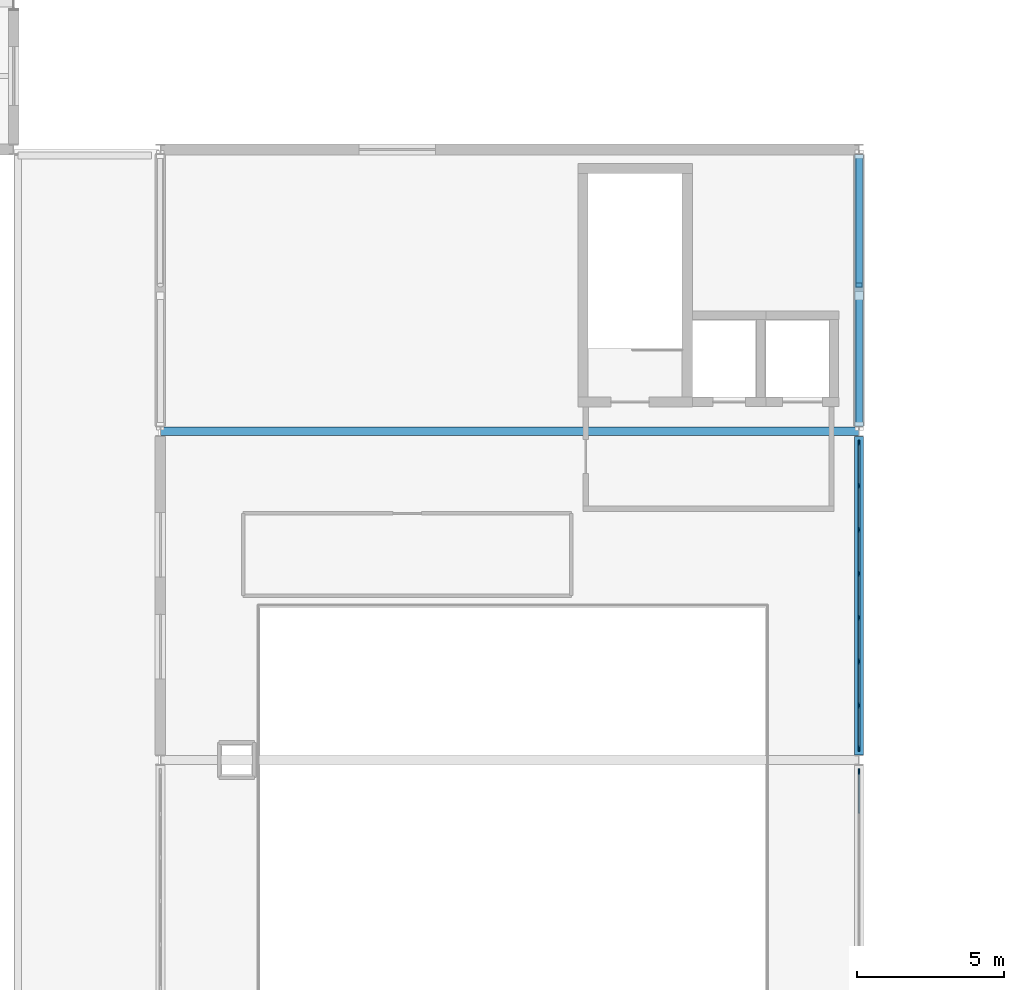
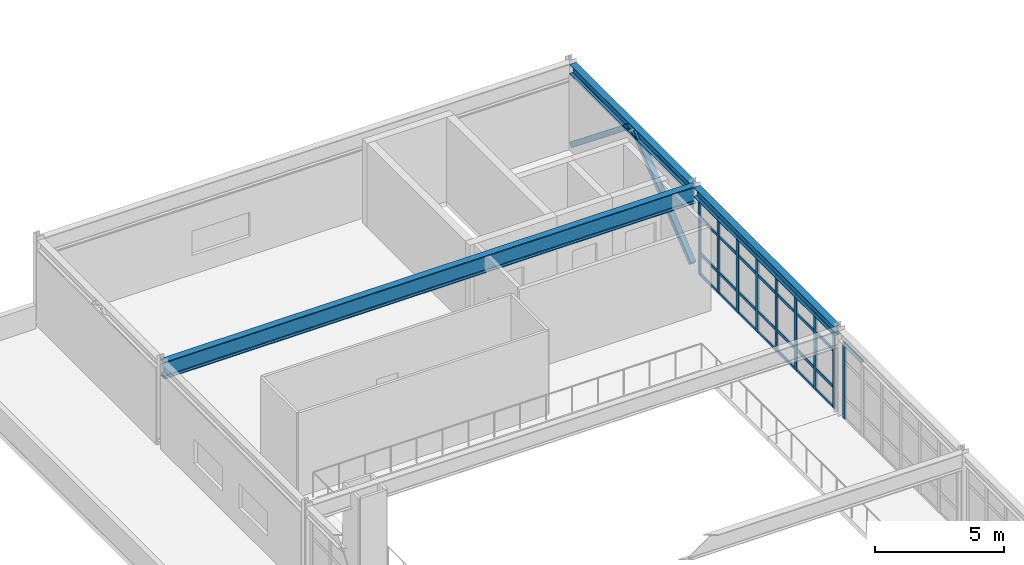
# One storey, part 39 of 76: 40 members, 3 beams, 2 elements without a shape of their own.
"""IFC4 building model written with IfcOpenShell, lengths in metres."""

from ifc_helpers import new_model, si_unit, direction, frame, origin, origin_2d, place, context, subcontext, project, spatial, rectangle, hollow_rectangle, i_section, extrude, material, layer, layer_set, material_profile, profile_set, type_object, element, aggregate, save


model = new_model("IFC4")

# Units and contexts
model_context = context("Model", 3, precision=1e-05, world=origin(), true_north=direction((0.0, 1.0)))
body_context = subcontext(model_context, "Body", "Model", "MODEL_VIEW")
ifc_project = project(units=[si_unit("LENGTHUNIT", "METRE"), si_unit("AREAUNIT", "SQUARE_METRE"), si_unit("VOLUMEUNIT", "CUBIC_METRE"), si_unit("PLANEANGLEUNIT", "RADIAN"), si_unit("MASSUNIT", "GRAM", prefix="KILO")], contexts=[model_context])

# Site, building, storey
site_placement = place(None, origin())
site = spatial("IfcSite", under=ifc_project, at=site_placement, CompositionType="ELEMENT")
building_placement = place(site_placement, origin())
building = spatial("IfcBuilding", under=site, at=building_placement, Name="Nordkorset Police Headquarters", CompositionType="ELEMENT")
storey_placement = place(building_placement, frame((0.0, 0.0, 13.64990234375)))
storey = spatial("IfcBuildingStorey", under=building, at=storey_placement, Name="L03", CompositionType="ELEMENT", Elevation=13.64990234375)

# Members
ifc_material_1 = material(Name="Steel S355J2", Category="steel")
ifc_material_profile_1 = material_profile(ifc_material_1, hollow_rectangle(XDim=0.25, YDim=0.25, WallThickness=0.012451171875, InnerFilletRadius=0.012451171875, OuterFilletRadius=0.02490234375, at=origin_2d()), Name="SHS 250x250x12.5")
ifc_profile_set_1 = profile_set([ifc_material_profile_1], Name="Steel S355J2")
member_type_1 = type_object("IfcMemberType", Name="Brace_SHS_250x250x12.5", PredefinedType="BRACE", material=ifc_profile_set_1)
for number, where, z_axis, x_axis, name in (
    (1, (115.199951171875, 88.169921875, 0.2001953125), (0.0, 0.780898065567, 0.624658475644), (-1.0, 0.0, 0.0), "Lateral Chevron Brace BF-EXT-V5E4 L03 D1"),
    (2, (115.199951171875, 97.429931640625, 0.2001953125), (0.0, -0.780881348411, 0.624679373522), (1.0, 0.0, 0.0), "Lateral Chevron Brace BF-EXT-V5E4 L03 D2"),
):
    element("IfcMember", number, at=place(storey_placement, frame(where, z_axis=z_axis, x_axis=x_axis)), inside=storey, type_object=member_type_1, Name=name, PredefinedType="BRACE", context=body_context, shape_type="SweptSolid", body=[
        extrude(hollow_rectangle(XDim=0.25, YDim=0.25, WallThickness=0.012451171875, InnerFilletRadius=0.012451171875, OuterFilletRadius=0.02490234375, at=origin_2d()), origin(), (0.0, 0.0, 1.0), 5.69873046875),
    ])

# Curtain wall, member
ifc_material_2 = material(Name="Aluminium alloy AW-6060", Category="aluminium")
ifc_layer_1 = layer(ifc_material_2, 0.179931640625, Name="Aluminium alloy AW-6060")
ifc_layer_set_1 = layer_set([ifc_layer_1], Name="Aluminium alloy AW-6060")
curtain_wall_type_1 = type_object("IfcCurtainWallType", Name="CW_Unit_888x356", PredefinedType="USERDEFINED", material=ifc_layer_set_1)
curtain_wall_1_placement = place(storey_placement, origin())
curtain_wall_1 = element("IfcCurtainWall", 3, at=curtain_wall_1_placement, inside=storey, type_object=curtain_wall_type_1, Name="Unitised Curtain Wall L03 V5E-2", ObjectType="UNITISED CURTAIN WALL", PredefinedType="USERDEFINED")
ifc_material_3 = material(Name="Aluminium alloy AW-6060", Category="aluminium")
ifc_material_profile_2 = material_profile(ifc_material_3, rectangle(XDim=0.06494140625, YDim=0.179931640625, at=origin_2d()), Name="ALU MULL 65x180")
ifc_profile_set_2 = profile_set([ifc_material_profile_2], Name="Aluminium alloy AW-6060")
member_type_2 = type_object("IfcMemberType", Name="CW_Mullion_65x180", PredefinedType="MULLION", material=ifc_profile_set_2)
member_1_placement = place(storey_placement, frame((115.199951171875, 76.407470703125, 0.0), z_axis=(0.0, 0.0, 1.0), x_axis=(-1.0, 0.0, 0.0)))
member_1 = element("IfcMember", 4, at=member_1_placement, type_object=member_type_2, Name="CW-109 mullion 7", PredefinedType="MULLION", context=body_context, shape_type="SweptSolid", body=[
    extrude(rectangle(XDim=0.06494140625, YDim=0.179931640625, at=origin_2d()), origin(), (0.0, 0.0, 1.0), 3.565185546875),
])

# Curtain wall, members
ifc_material_4 = material(Name="Aluminium alloy AW-6060", Category="aluminium")
ifc_layer_2 = layer(ifc_material_4, 0.179931640625, Name="Aluminium alloy AW-6060")
ifc_layer_set_2 = layer_set([ifc_layer_2], Name="Aluminium alloy AW-6060")
curtain_wall_type_2 = type_object("IfcCurtainWallType", Name="CW_Unit_1048x356", PredefinedType="USERDEFINED", material=ifc_layer_set_2)
curtain_wall_2_placement = place(storey_placement, origin())
curtain_wall_2 = element("IfcCurtainWall", 5, at=curtain_wall_2_placement, inside=storey, type_object=curtain_wall_type_2, Name="Unitised Curtain Wall L03 V5E-3", ObjectType="UNITISED CURTAIN WALL", PredefinedType="USERDEFINED")
member_2_placement = place(storey_placement, frame((115.199951171875, 77.1923828125, 0.0), z_axis=(0.0, 0.0, 1.0), x_axis=(-1.0, 0.0, 0.0)))
member_2 = element("IfcMember", 6, at=member_2_placement, type_object=member_type_2, Name="CW-26 mullion 1", PredefinedType="MULLION", context=body_context, shape_type="SweptSolid", body=[
    extrude(rectangle(XDim=0.06494140625, YDim=0.179931640625, at=origin_2d()), origin(), (0.0, 0.0, 1.0), 3.565185546875),
])
member_3_placement = place(storey_placement, frame((115.199951171875, 78.6572265625, 0.0), z_axis=(0.0, 0.0, 1.0), x_axis=(-1.0, 0.0, 0.0)))
member_3 = element("IfcMember", 7, at=member_3_placement, type_object=member_type_2, Name="CW-26 mullion 2", PredefinedType="MULLION", context=body_context, shape_type="SweptSolid", body=[
    extrude(rectangle(XDim=0.06494140625, YDim=0.179931640625, at=origin_2d()), origin(), (0.0, 0.0, 1.0), 3.565185546875),
])
member_4_placement = place(storey_placement, frame((115.199951171875, 80.154296875, 0.0), z_axis=(0.0, 0.0, 1.0), x_axis=(-1.0, 0.0, 0.0)))
member_4 = element("IfcMember", 8, at=member_4_placement, type_object=member_type_2, Name="CW-26 mullion 3", PredefinedType="MULLION", context=body_context, shape_type="SweptSolid", body=[
    extrude(rectangle(XDim=0.06494140625, YDim=0.179931640625, at=origin_2d()), origin(), (0.0, 0.0, 1.0), 3.565185546875),
])
member_5_placement = place(storey_placement, frame((115.199951171875, 81.6513671875, 0.0), z_axis=(0.0, 0.0, 1.0), x_axis=(-1.0, 0.0, 0.0)))
member_5 = element("IfcMember", 9, at=member_5_placement, type_object=member_type_2, Name="CW-26 mullion 4", PredefinedType="MULLION", context=body_context, shape_type="SweptSolid", body=[
    extrude(rectangle(XDim=0.06494140625, YDim=0.179931640625, at=origin_2d()), origin(), (0.0, 0.0, 1.0), 3.565185546875),
])
member_6_placement = place(storey_placement, frame((115.199951171875, 83.148681640625, 0.0), z_axis=(0.0, 0.0, 1.0), x_axis=(-1.0, 0.0, 0.0)))
member_6 = element("IfcMember", 10, at=member_6_placement, type_object=member_type_2, Name="CW-26 mullion 5", PredefinedType="MULLION", context=body_context, shape_type="SweptSolid", body=[
    extrude(rectangle(XDim=0.06494140625, YDim=0.179931640625, at=origin_2d()), origin(), (0.0, 0.0, 1.0), 3.565185546875),
])
member_7_placement = place(storey_placement, frame((115.199951171875, 84.645751953125, 0.0), z_axis=(0.0, 0.0, 1.0), x_axis=(-1.0, 0.0, 0.0)))
member_7 = element("IfcMember", 11, at=member_7_placement, type_object=member_type_2, Name="CW-26 mullion 6", PredefinedType="MULLION", context=body_context, shape_type="SweptSolid", body=[
    extrude(rectangle(XDim=0.06494140625, YDim=0.179931640625, at=origin_2d()), origin(), (0.0, 0.0, 1.0), 3.565185546875),
])
member_8_placement = place(storey_placement, frame((115.199951171875, 86.142822265625, 0.0), z_axis=(0.0, 0.0, 1.0), x_axis=(-1.0, 0.0, 0.0)))
member_8 = element("IfcMember", 12, at=member_8_placement, type_object=member_type_2, Name="CW-26 mullion 7", PredefinedType="MULLION", context=body_context, shape_type="SweptSolid", body=[
    extrude(rectangle(XDim=0.06494140625, YDim=0.179931640625, at=origin_2d()), origin(), (0.0, 0.0, 1.0), 3.565185546875),
])
member_9_placement = place(storey_placement, frame((115.199951171875, 87.607421875, 0.0), z_axis=(0.0, 0.0, 1.0), x_axis=(-1.0, 0.0, 0.0)))
member_9 = element("IfcMember", 13, at=member_9_placement, type_object=member_type_2, Name="CW-26 mullion 8", PredefinedType="MULLION", context=body_context, shape_type="SweptSolid", body=[
    extrude(rectangle(XDim=0.06494140625, YDim=0.179931640625, at=origin_2d()), origin(), (0.0, 0.0, 1.0), 3.565185546875),
])

# Member
ifc_material_5 = material(Name="Aluminium alloy AW-6060", Category="aluminium")
ifc_material_profile_3 = material_profile(ifc_material_5, rectangle(XDim=0.06494140625, YDim=0.139892578125, at=origin_2d()), Name="ALU TRAN 65x140")
ifc_profile_set_3 = profile_set([ifc_material_profile_3], Name="Aluminium alloy AW-6060")
member_type_3 = type_object("IfcMemberType", Name="CW_Transom_65x140", PredefinedType="USERDEFINED", material=ifc_profile_set_3)
member_10_placement = place(storey_placement, frame((115.199951171875, 74.992431640625, 3.53271484375), z_axis=(0.0, 1.0, 0.0), x_axis=(-1.0, 0.0, 0.0)))
member_10 = element("IfcMember", 14, at=member_10_placement, type_object=member_type_3, Name="CW-109 transom 6.4", ObjectType="TRANSOM", PredefinedType="USERDEFINED", context=body_context, shape_type="SweptSolid", body=[
    extrude(rectangle(XDim=0.06494140625, YDim=0.139892578125, at=origin_2d()), origin(), (0.0, 0.0, 1.0), 1.382568359375),
])

aggregate(curtain_wall_1, [member_1, member_10])

member_11_placement = place(storey_placement, frame((115.199951171875, 77.22509765625, 0.03271484375), z_axis=(0.0, 1.0, 0.0), x_axis=(-1.0, 0.0, 0.0)))
member_11 = element("IfcMember", 15, at=member_11_placement, type_object=member_type_3, Name="CW-26 transom 1.1", ObjectType="TRANSOM", PredefinedType="USERDEFINED", context=body_context, shape_type="SweptSolid", body=[
    extrude(rectangle(XDim=0.06494140625, YDim=0.139892578125, at=origin_2d()), origin(), (0.0, 0.0, 1.0), 1.399658203125),
])

member_12_placement = place(storey_placement, frame((115.199951171875, 77.22509765625, 1.0), z_axis=(0.0, 1.0, 0.0), x_axis=(-1.0, 0.0, 0.0)))
member_12 = element("IfcMember", 16, at=member_12_placement, type_object=member_type_3, Name="CW-26 transom 1.2", ObjectType="TRANSOM", PredefinedType="USERDEFINED", context=body_context, shape_type="SweptSolid", body=[
    extrude(rectangle(XDim=0.06494140625, YDim=0.139892578125, at=origin_2d()), origin(), (0.0, 0.0, 1.0), 1.399658203125),
])

member_13_placement = place(storey_placement, frame((115.199951171875, 77.22509765625, 2.715087890625), z_axis=(0.0, 1.0, 0.0), x_axis=(-1.0, 0.0, 0.0)))
member_13 = element("IfcMember", 17, at=member_13_placement, type_object=member_type_3, Name="CW-26 transom 1.3", ObjectType="TRANSOM", PredefinedType="USERDEFINED", context=body_context, shape_type="SweptSolid", body=[
    extrude(rectangle(XDim=0.06494140625, YDim=0.139892578125, at=origin_2d()), origin(), (0.0, 0.0, 1.0), 1.399658203125),
])

member_14_placement = place(storey_placement, frame((115.199951171875, 77.22509765625, 3.53271484375), z_axis=(0.0, 1.0, 0.0), x_axis=(-1.0, 0.0, 0.0)))
member_14 = element("IfcMember", 18, at=member_14_placement, type_object=member_type_3, Name="CW-26 transom 1.4", ObjectType="TRANSOM", PredefinedType="USERDEFINED", context=body_context, shape_type="SweptSolid", body=[
    extrude(rectangle(XDim=0.06494140625, YDim=0.139892578125, at=origin_2d()), origin(), (0.0, 0.0, 1.0), 1.399658203125),
])

member_15_placement = place(storey_placement, frame((115.199951171875, 78.689697265625, 0.03271484375), z_axis=(0.0, 1.0, 0.0), x_axis=(-1.0, 0.0, 0.0)))
member_15 = element("IfcMember", 19, at=member_15_placement, type_object=member_type_3, Name="CW-26 transom 2.1", ObjectType="TRANSOM", PredefinedType="USERDEFINED", context=body_context, shape_type="SweptSolid", body=[
    extrude(rectangle(XDim=0.06494140625, YDim=0.139892578125, at=origin_2d()), origin(), (0.0, 0.0, 1.0), 1.43212890625),
])

member_16_placement = place(storey_placement, frame((115.199951171875, 78.689697265625, 1.0), z_axis=(0.0, 1.0, 0.0), x_axis=(-1.0, 0.0, 0.0)))
member_16 = element("IfcMember", 20, at=member_16_placement, type_object=member_type_3, Name="CW-26 transom 2.2", ObjectType="TRANSOM", PredefinedType="USERDEFINED", context=body_context, shape_type="SweptSolid", body=[
    extrude(rectangle(XDim=0.06494140625, YDim=0.139892578125, at=origin_2d()), origin(), (0.0, 0.0, 1.0), 1.43212890625),
])

member_17_placement = place(storey_placement, frame((115.199951171875, 78.689697265625, 2.715087890625), z_axis=(0.0, 1.0, 0.0), x_axis=(-1.0, 0.0, 0.0)))
member_17 = element("IfcMember", 21, at=member_17_placement, type_object=member_type_3, Name="CW-26 transom 2.3", ObjectType="TRANSOM", PredefinedType="USERDEFINED", context=body_context, shape_type="SweptSolid", body=[
    extrude(rectangle(XDim=0.06494140625, YDim=0.139892578125, at=origin_2d()), origin(), (0.0, 0.0, 1.0), 1.43212890625),
])

member_18_placement = place(storey_placement, frame((115.199951171875, 78.689697265625, 3.53271484375), z_axis=(0.0, 1.0, 0.0), x_axis=(-1.0, 0.0, 0.0)))
member_18 = element("IfcMember", 22, at=member_18_placement, type_object=member_type_3, Name="CW-26 transom 2.4", ObjectType="TRANSOM", PredefinedType="USERDEFINED", context=body_context, shape_type="SweptSolid", body=[
    extrude(rectangle(XDim=0.06494140625, YDim=0.139892578125, at=origin_2d()), origin(), (0.0, 0.0, 1.0), 1.43212890625),
])

member_19_placement = place(storey_placement, frame((115.199951171875, 80.186767578125, 0.03271484375), z_axis=(0.0, 1.0, 0.0), x_axis=(-1.0, 0.0, 0.0)))
member_19 = element("IfcMember", 23, at=member_19_placement, type_object=member_type_3, Name="CW-26 transom 3.1", ObjectType="TRANSOM", PredefinedType="USERDEFINED", context=body_context, shape_type="SweptSolid", body=[
    extrude(rectangle(XDim=0.06494140625, YDim=0.139892578125, at=origin_2d()), origin(), (0.0, 0.0, 1.0), 1.43212890625),
])

member_20_placement = place(storey_placement, frame((115.199951171875, 80.186767578125, 1.0), z_axis=(0.0, 1.0, 0.0), x_axis=(-1.0, 0.0, 0.0)))
member_20 = element("IfcMember", 24, at=member_20_placement, type_object=member_type_3, Name="CW-26 transom 3.2", ObjectType="TRANSOM", PredefinedType="USERDEFINED", context=body_context, shape_type="SweptSolid", body=[
    extrude(rectangle(XDim=0.06494140625, YDim=0.139892578125, at=origin_2d()), origin(), (0.0, 0.0, 1.0), 1.43212890625),
])

member_21_placement = place(storey_placement, frame((115.199951171875, 80.186767578125, 2.715087890625), z_axis=(0.0, 1.0, 0.0), x_axis=(-1.0, 0.0, 0.0)))
member_21 = element("IfcMember", 25, at=member_21_placement, type_object=member_type_3, Name="CW-26 transom 3.3", ObjectType="TRANSOM", PredefinedType="USERDEFINED", context=body_context, shape_type="SweptSolid", body=[
    extrude(rectangle(XDim=0.06494140625, YDim=0.139892578125, at=origin_2d()), origin(), (0.0, 0.0, 1.0), 1.43212890625),
])

member_22_placement = place(storey_placement, frame((115.199951171875, 80.186767578125, 3.53271484375), z_axis=(0.0, 1.0, 0.0), x_axis=(-1.0, 0.0, 0.0)))
member_22 = element("IfcMember", 26, at=member_22_placement, type_object=member_type_3, Name="CW-26 transom 3.4", ObjectType="TRANSOM", PredefinedType="USERDEFINED", context=body_context, shape_type="SweptSolid", body=[
    extrude(rectangle(XDim=0.06494140625, YDim=0.139892578125, at=origin_2d()), origin(), (0.0, 0.0, 1.0), 1.43212890625),
])

member_23_placement = place(storey_placement, frame((115.199951171875, 81.683837890625, 0.03271484375), z_axis=(0.0, 1.0, 0.0), x_axis=(-1.0, 0.0, 0.0)))
member_23 = element("IfcMember", 27, at=member_23_placement, type_object=member_type_3, Name="CW-26 transom 4.1", ObjectType="TRANSOM", PredefinedType="USERDEFINED", context=body_context, shape_type="SweptSolid", body=[
    extrude(rectangle(XDim=0.06494140625, YDim=0.139892578125, at=origin_2d()), origin(), (0.0, 0.0, 1.0), 1.43212890625),
])

member_24_placement = place(storey_placement, frame((115.199951171875, 81.683837890625, 1.0), z_axis=(0.0, 1.0, 0.0), x_axis=(-1.0, 0.0, 0.0)))
member_24 = element("IfcMember", 28, at=member_24_placement, type_object=member_type_3, Name="CW-26 transom 4.2", ObjectType="TRANSOM", PredefinedType="USERDEFINED", context=body_context, shape_type="SweptSolid", body=[
    extrude(rectangle(XDim=0.06494140625, YDim=0.139892578125, at=origin_2d()), origin(), (0.0, 0.0, 1.0), 1.43212890625),
])

member_25_placement = place(storey_placement, frame((115.199951171875, 81.683837890625, 2.715087890625), z_axis=(0.0, 1.0, 0.0), x_axis=(-1.0, 0.0, 0.0)))
member_25 = element("IfcMember", 29, at=member_25_placement, type_object=member_type_3, Name="CW-26 transom 4.3", ObjectType="TRANSOM", PredefinedType="USERDEFINED", context=body_context, shape_type="SweptSolid", body=[
    extrude(rectangle(XDim=0.06494140625, YDim=0.139892578125, at=origin_2d()), origin(), (0.0, 0.0, 1.0), 1.43212890625),
])

member_26_placement = place(storey_placement, frame((115.199951171875, 81.683837890625, 3.53271484375), z_axis=(0.0, 1.0, 0.0), x_axis=(-1.0, 0.0, 0.0)))
member_26 = element("IfcMember", 30, at=member_26_placement, type_object=member_type_3, Name="CW-26 transom 4.4", ObjectType="TRANSOM", PredefinedType="USERDEFINED", context=body_context, shape_type="SweptSolid", body=[
    extrude(rectangle(XDim=0.06494140625, YDim=0.139892578125, at=origin_2d()), origin(), (0.0, 0.0, 1.0), 1.43212890625),
])

member_27_placement = place(storey_placement, frame((115.199951171875, 83.18115234375, 0.03271484375), z_axis=(0.0, 1.0, 0.0), x_axis=(-1.0, 0.0, 0.0)))
member_27 = element("IfcMember", 31, at=member_27_placement, type_object=member_type_3, Name="CW-26 transom 5.1", ObjectType="TRANSOM", PredefinedType="USERDEFINED", context=body_context, shape_type="SweptSolid", body=[
    extrude(rectangle(XDim=0.06494140625, YDim=0.139892578125, at=origin_2d()), origin(), (0.0, 0.0, 1.0), 1.43212890625),
])

member_28_placement = place(storey_placement, frame((115.199951171875, 83.18115234375, 1.0), z_axis=(0.0, 1.0, 0.0), x_axis=(-1.0, 0.0, 0.0)))
member_28 = element("IfcMember", 32, at=member_28_placement, type_object=member_type_3, Name="CW-26 transom 5.2", ObjectType="TRANSOM", PredefinedType="USERDEFINED", context=body_context, shape_type="SweptSolid", body=[
    extrude(rectangle(XDim=0.06494140625, YDim=0.139892578125, at=origin_2d()), origin(), (0.0, 0.0, 1.0), 1.43212890625),
])

member_29_placement = place(storey_placement, frame((115.199951171875, 83.18115234375, 2.715087890625), z_axis=(0.0, 1.0, 0.0), x_axis=(-1.0, 0.0, 0.0)))
member_29 = element("IfcMember", 33, at=member_29_placement, type_object=member_type_3, Name="CW-26 transom 5.3", ObjectType="TRANSOM", PredefinedType="USERDEFINED", context=body_context, shape_type="SweptSolid", body=[
    extrude(rectangle(XDim=0.06494140625, YDim=0.139892578125, at=origin_2d()), origin(), (0.0, 0.0, 1.0), 1.43212890625),
])

member_30_placement = place(storey_placement, frame((115.199951171875, 83.18115234375, 3.53271484375), z_axis=(0.0, 1.0, 0.0), x_axis=(-1.0, 0.0, 0.0)))
member_30 = element("IfcMember", 34, at=member_30_placement, type_object=member_type_3, Name="CW-26 transom 5.4", ObjectType="TRANSOM", PredefinedType="USERDEFINED", context=body_context, shape_type="SweptSolid", body=[
    extrude(rectangle(XDim=0.06494140625, YDim=0.139892578125, at=origin_2d()), origin(), (0.0, 0.0, 1.0), 1.43212890625),
])

member_31_placement = place(storey_placement, frame((115.199951171875, 84.67822265625, 0.03271484375), z_axis=(0.0, 1.0, 0.0), x_axis=(-1.0, 0.0, 0.0)))
member_31 = element("IfcMember", 35, at=member_31_placement, type_object=member_type_3, Name="CW-26 transom 6.1", ObjectType="TRANSOM", PredefinedType="USERDEFINED", context=body_context, shape_type="SweptSolid", body=[
    extrude(rectangle(XDim=0.06494140625, YDim=0.139892578125, at=origin_2d()), origin(), (0.0, 0.0, 1.0), 1.43212890625),
])

member_32_placement = place(storey_placement, frame((115.199951171875, 84.67822265625, 1.0), z_axis=(0.0, 1.0, 0.0), x_axis=(-1.0, 0.0, 0.0)))
member_32 = element("IfcMember", 36, at=member_32_placement, type_object=member_type_3, Name="CW-26 transom 6.2", ObjectType="TRANSOM", PredefinedType="USERDEFINED", context=body_context, shape_type="SweptSolid", body=[
    extrude(rectangle(XDim=0.06494140625, YDim=0.139892578125, at=origin_2d()), origin(), (0.0, 0.0, 1.0), 1.43212890625),
])

member_33_placement = place(storey_placement, frame((115.199951171875, 84.67822265625, 2.715087890625), z_axis=(0.0, 1.0, 0.0), x_axis=(-1.0, 0.0, 0.0)))
member_33 = element("IfcMember", 37, at=member_33_placement, type_object=member_type_3, Name="CW-26 transom 6.3", ObjectType="TRANSOM", PredefinedType="USERDEFINED", context=body_context, shape_type="SweptSolid", body=[
    extrude(rectangle(XDim=0.06494140625, YDim=0.139892578125, at=origin_2d()), origin(), (0.0, 0.0, 1.0), 1.43212890625),
])

member_34_placement = place(storey_placement, frame((115.199951171875, 84.67822265625, 3.53271484375), z_axis=(0.0, 1.0, 0.0), x_axis=(-1.0, 0.0, 0.0)))
member_34 = element("IfcMember", 38, at=member_34_placement, type_object=member_type_3, Name="CW-26 transom 6.4", ObjectType="TRANSOM", PredefinedType="USERDEFINED", context=body_context, shape_type="SweptSolid", body=[
    extrude(rectangle(XDim=0.06494140625, YDim=0.139892578125, at=origin_2d()), origin(), (0.0, 0.0, 1.0), 1.43212890625),
])

member_35_placement = place(storey_placement, frame((115.199951171875, 86.17529296875, 0.03271484375), z_axis=(0.0, 1.0, 0.0), x_axis=(-1.0, 0.0, 0.0)))
member_35 = element("IfcMember", 39, at=member_35_placement, type_object=member_type_3, Name="CW-26 transom 7.1", ObjectType="TRANSOM", PredefinedType="USERDEFINED", context=body_context, shape_type="SweptSolid", body=[
    extrude(rectangle(XDim=0.06494140625, YDim=0.139892578125, at=origin_2d()), origin(), (0.0, 0.0, 1.0), 1.399658203125),
])

member_36_placement = place(storey_placement, frame((115.199951171875, 86.17529296875, 1.0), z_axis=(0.0, 1.0, 0.0), x_axis=(-1.0, 0.0, 0.0)))
member_36 = element("IfcMember", 40, at=member_36_placement, type_object=member_type_3, Name="CW-26 transom 7.2", ObjectType="TRANSOM", PredefinedType="USERDEFINED", context=body_context, shape_type="SweptSolid", body=[
    extrude(rectangle(XDim=0.06494140625, YDim=0.139892578125, at=origin_2d()), origin(), (0.0, 0.0, 1.0), 1.399658203125),
])

member_37_placement = place(storey_placement, frame((115.199951171875, 86.17529296875, 2.715087890625), z_axis=(0.0, 1.0, 0.0), x_axis=(-1.0, 0.0, 0.0)))
member_37 = element("IfcMember", 41, at=member_37_placement, type_object=member_type_3, Name="CW-26 transom 7.3", ObjectType="TRANSOM", PredefinedType="USERDEFINED", context=body_context, shape_type="SweptSolid", body=[
    extrude(rectangle(XDim=0.06494140625, YDim=0.139892578125, at=origin_2d()), origin(), (0.0, 0.0, 1.0), 1.399658203125),
])

member_38_placement = place(storey_placement, frame((115.199951171875, 86.17529296875, 3.53271484375), z_axis=(0.0, 1.0, 0.0), x_axis=(-1.0, 0.0, 0.0)))
member_38 = element("IfcMember", 42, at=member_38_placement, type_object=member_type_3, Name="CW-26 transom 7.4", ObjectType="TRANSOM", PredefinedType="USERDEFINED", context=body_context, shape_type="SweptSolid", body=[
    extrude(rectangle(XDim=0.06494140625, YDim=0.139892578125, at=origin_2d()), origin(), (0.0, 0.0, 1.0), 1.399658203125),
])

aggregate(curtain_wall_2, [member_2, member_3, member_4, member_5, member_6, member_7, member_8, member_9, member_11, member_12, member_13, member_14, member_15, member_16, member_17, member_18, member_19, member_20, member_21, member_22, member_23, member_24, member_25, member_26, member_27, member_28, member_29, member_30, member_31, member_32, member_33, member_34, member_35, member_36, member_37, member_38])

# Beams
ifc_material_6 = material(Name="Steel S355J2", Category="steel")
ifc_material_profile_4 = material_profile(ifc_material_6, i_section(OverallWidth=0.300048828125, OverallDepth=0.43994140625, WebThickness=0.011474609375, FlangeThickness=0.02099609375, FilletRadius=0.027099609375, at=origin_2d()), Name="HEA 450")
ifc_profile_set_4 = profile_set([ifc_material_profile_4], Name="Steel S355J2")
beam_type_1 = type_object("IfcBeamType", Name="Girder_HEA_450", PredefinedType="USERDEFINED", material=ifc_profile_set_4)
beam_1_placement = place(storey_placement, frame((115.199951171875, 76.969970703125, 3.80517578125), z_axis=(0.0, 1.0, 0.0), x_axis=(-1.0, 0.0, 0.0)))
element("IfcBeam", 43, at=beam_1_placement, inside=storey, type_object=beam_type_1, Name="Girder V5 L03 GY-1-3", ObjectType="GIRDER", PredefinedType="USERDEFINED", context=body_context, shape_type="SweptSolid", body=[
    extrude(i_section(OverallWidth=0.300048828125, OverallDepth=0.43994140625, WebThickness=0.011474609375, FlangeThickness=0.02099609375, FilletRadius=0.027099609375, at=origin_2d()), origin(), (0.0, 0.0, 1.0), 10.860107421875),
])
beam_2_placement = place(storey_placement, frame((115.199951171875, 88.169921875, 3.80517578125), z_axis=(0.0, 1.0, 0.0), x_axis=(-1.0, 0.0, 0.0)))
element("IfcBeam", 44, at=beam_2_placement, inside=storey, type_object=beam_type_1, Name="Girder V5 L03 GY-1-4", ObjectType="GIRDER", PredefinedType="USERDEFINED", context=body_context, shape_type="SweptSolid", body=[
    extrude(i_section(OverallWidth=0.300048828125, OverallDepth=0.43994140625, WebThickness=0.011474609375, FlangeThickness=0.02099609375, FilletRadius=0.027099609375, at=origin_2d()), origin(), (0.0, 0.0, 1.0), 9.260009765625),
])
ifc_material_7 = material(Name="Steel S355J2", Category="steel")
ifc_material_profile_5 = material_profile(ifc_material_7, i_section(OverallWidth=0.300048828125, OverallDepth=0.800048828125, WebThickness=0.017578125, FlangeThickness=0.032958984375, FilletRadius=0.030029296875, at=origin_2d()), Name="HEB 800")
ifc_profile_set_5 = profile_set([ifc_material_profile_5], Name="Steel S355J2")
beam_type_2 = type_object("IfcBeamType", Name="Girder_HEB_800", PredefinedType="USERDEFINED", material=ifc_profile_set_5)
beam_3_placement = place(storey_placement, frame((91.406005859375, 88.0, 3.625), z_axis=(1.0, 0.0, 0.0), x_axis=(0.0, 1.0, 0.0)))
element("IfcBeam", 45, at=beam_3_placement, inside=storey, type_object=beam_type_2, Name="Girder V5 L03 GX-4-0", ObjectType="GIRDER", PredefinedType="USERDEFINED", context=body_context, shape_type="SweptSolid", body=[
    extrude(i_section(OverallWidth=0.300048828125, OverallDepth=0.800048828125, WebThickness=0.017578125, FlangeThickness=0.032958984375, FilletRadius=0.030029296875, at=origin_2d()), origin(), (0.0, 0.0, 1.0), 23.7880859375),
])

save(model, "model.ifc")
